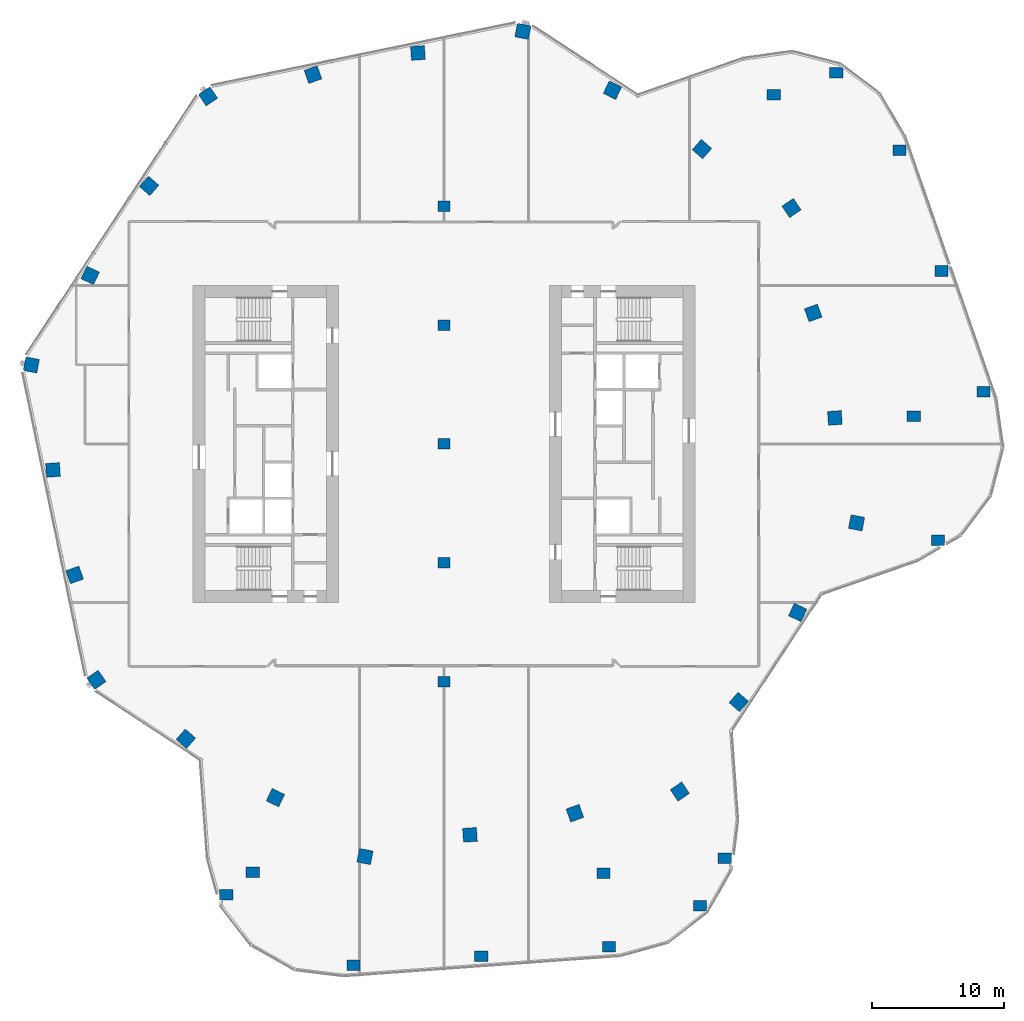
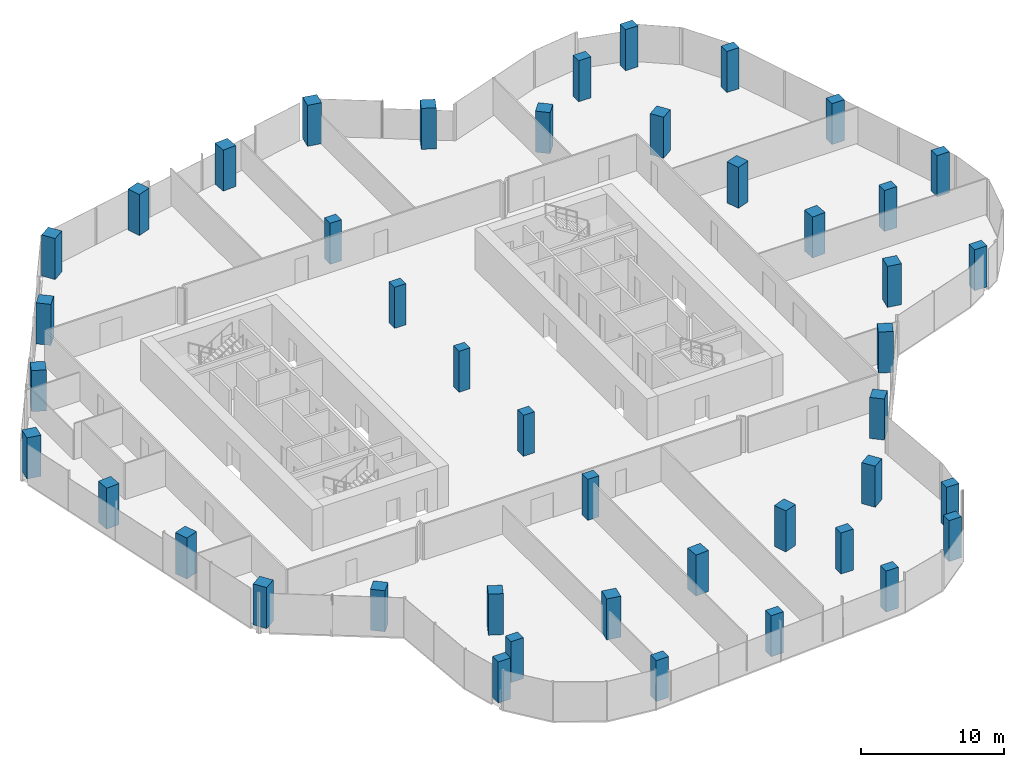
# One storey, part 1 of 24: 44 columns.
"""IFC4 building model written with IfcOpenShell, lengths in metres."""

from ifc_helpers import new_model, si_unit, direction, frame, origin, origin_2d, place, context, subcontext, project, spatial, rectangle, extrude, material, material_profile, profile_set, type_object, element, save


model = new_model("IFC4")

# Units and contexts
model_context = context("Model", 3, precision=1e-05, world=origin(), true_north=direction((0.0, 1.0)))
body_context = subcontext(model_context, "Body", "Model", "MODEL_VIEW")
ifc_project = project(units=[si_unit("LENGTHUNIT", "METRE"), si_unit("AREAUNIT", "SQUARE_METRE"), si_unit("VOLUMEUNIT", "CUBIC_METRE"), si_unit("PLANEANGLEUNIT", "RADIAN"), si_unit("MASSUNIT", "GRAM", prefix="KILO")], contexts=[model_context])

# Site, building, storey
site_placement = place(None, origin())
site = spatial("IfcSite", under=ifc_project, at=site_placement, CompositionType="ELEMENT")
building_placement = place(site_placement, origin())
building = spatial("IfcBuilding", under=site, at=building_placement, Name="Orlundy Tower", CompositionType="ELEMENT")
storey_placement = place(building_placement, frame((0.0, 0.0, 246.0)))
storey = spatial("IfcBuildingStorey", under=building, at=storey_placement, Name="L65", CompositionType="ELEMENT", Elevation=246.0)

# Columns
ifc_material_1 = material(Name="Concrete C60/75", Category="concrete")
ifc_material_profile_1 = material_profile(ifc_material_1, rectangle(XDim=1.0, YDim=0.800048828125, at=origin_2d()), Name="RC1000X800")
ifc_profile_set_1 = profile_set([ifc_material_profile_1], Name="Concrete C60/75")
column_type_1 = type_object("IfcColumnType", Name="RC COLUMN RC1000X800 C60/75", PredefinedType="COLUMN", material=ifc_profile_set_1)
for number, where, z_axis, x_axis, name in (
    (1, (37.423095703125, -7.302001953125, 0.0), (0.0, 0.0, 1.0), (1.0, 0.0, 0.0), "Column C-A1-1 L65"),
    (2, (40.873046875, 3.93798828125, 0.0), (0.0, 0.0, 1.0), (1.0, 0.0, 0.0), "Column C-A2-5 L65"),
    (3, (35.5830078125, 2.09912109375, 0.0), (0.0, 0.0, 1.0), (1.0, 0.0, 0.0), "Column C-A2-6 L65"),
    (4, (37.68798828125, 13.10009765625, 0.0), (0.0, 0.0, 1.0), (1.0, 0.0, 0.0), "Column C-A3-5 L65"),
    (5, (34.50390625, 22.261962890625, 0.0), (0.0, 0.0, 1.0), (1.0, 0.0, 0.0), "Column C-A4-5 L65"),
    (6, (29.7119140625, 28.10595703125, 0.0), (0.0, 0.0, 1.0), (1.0, 0.0, 0.0), "Column C-A5-5 L65"),
    (7, (24.989990234375, 26.465087890625, 0.0), (0.0, 0.0, 1.0), (1.0, 0.0, 0.0), "Column C-A5-6 L65"),
    (8, (-16.4970703125, -34.132080078125, 0.0), (0.0, 0.0, 1.0), (1.0, 0.0, 0.0), "Column C-B1-1 L65"),
    (9, (-14.47509765625, -32.430908203125, 0.0), (0.0, 0.0, 1.0), (1.0, 0.0, 0.0), "Column C-B1-6 L65"),
    (10, (-6.847900390625, -39.501953125, 0.0), (0.0, 0.0, 1.0), (1.0, 0.0, 0.0), "Column C-B2-5 L65"),
    (11, (2.825927734375, -38.797119140625, 0.0), (0.0, 0.0, 1.0), (1.0, 0.0, 0.0), "Column C-B3-5 L65"),
    (12, (12.5009765625, -38.092041015625, 0.0), (0.0, 0.0, 1.0), (1.0, 0.0, 0.0), "Column C-B4-5 L65"),
    (13, (12.093994140625, -32.507080078125, 0.0), (0.0, 0.0, 1.0), (1.0, 0.0, 0.0), "Column C-B4-6 L65"),
    (14, (21.27001953125, -31.3798828125, 0.0), (0.0, 0.0, 1.0), (1.0, 0.0, 0.0), "Column C-B5-1 L65"),
    (15, (19.385986328125, -34.97705078125, 0.0), (0.0, 0.0, 1.0), (1.0, 0.0, 0.0), "Column C-B5-5 L65"),
):
    element("IfcColumn", number, at=place(storey_placement, frame(where, z_axis=z_axis, x_axis=x_axis)), inside=storey, type_object=column_type_1, Name=name, PredefinedType="COLUMN", context=body_context, shape_type="SweptSolid", body=[
        extrude(rectangle(XDim=1.0, YDim=0.800048828125, at=origin_2d()), origin(), (0.0, 0.0, 1.0), 3.5),
    ])
ifc_material_2 = material(Name="Concrete C60/75", Category="concrete")
ifc_material_profile_2 = material_profile(ifc_material_2, rectangle(XDim=1.050048828125, YDim=1.050048828125, at=origin_2d()), Name="RC1050X1050")
ifc_profile_set_2 = profile_set([ifc_material_profile_2], Name="Concrete C60/75")
column_type_2 = type_object("IfcColumnType", Name="RC COLUMN RC1050X1050 C60/75", PredefinedType="COLUMN", material=ifc_profile_set_2)
for number, where, z_axis, x_axis, name in (
    (16, (5.98095703125, 31.2548828125, 0.0), (0.0, 0.0, 1.0), (0.187947040317, 0.982179163919, 0.0), "Column C-H01 L65"),
    (17, (12.763916015625, 26.7939453125, 0.0), (0.0, 0.0, 1.0), (0.430069959039, 0.902795563975, 0.0), "Column C-H02 L65"),
    (18, (19.547119140625, 22.3330078125, 0.0), (0.0, 0.0, 1.0), (0.658610663802, 0.752483882569, 0.0), "Column C-H03 L65"),
    (19, (26.330078125, 17.87109375, 0.0), (0.0, 0.0, 1.0), (0.827413975623, 0.561592479423, 0.0), "Column C-H04 L65"),
    (20, (27.971923828125, 9.9208984375, 0.0), (0.0, 0.0, 1.0), (0.942478249733, 0.334267480891, 0.0), "Column C-H05 L65"),
    (21, (29.613037109375, 1.969970703125, 0.0), (0.0, 0.0, 1.0), (0.997794522634, 0.066378389562, 0.0), "Column C-H06 L65"),
    (22, (31.2548828125, -5.98095703125, 0.0), (0.0, 0.0, 1.0), (0.982179163919, -0.187947040317, 0.0), "Column C-H07 L65"),
    (23, (26.7939453125, -12.763916015625, 0.0), (0.0, 0.0, 1.0), (0.902795563975, -0.430069959039, 0.0), "Column C-H08 L65"),
    (24, (22.3330078125, -19.547119140625, 0.0), (0.0, 0.0, 1.0), (0.752483882569, -0.658610663802, 0.0), "Column C-H09 L65"),
    (25, (17.87109375, -26.330078125, 0.0), (0.0, 0.0, 1.0), (0.561592479423, -0.827413975623, 0.0), "Column C-H10 L65"),
    (26, (9.9208984375, -27.971923828125, 0.0), (0.0, 0.0, 1.0), (0.334267480891, -0.942478249733, 0.0), "Column C-H11 L65"),
    (27, (1.969970703125, -29.613037109375, 0.0), (0.0, 0.0, 1.0), (0.066378389562, -0.997794522634, 0.0), "Column C-H12 L65"),
    (28, (-5.98095703125, -31.2548828125, 0.0), (0.0, 0.0, 1.0), (-0.187947040317, -0.982179163919, 0.0), "Column C-H13 L65"),
    (29, (-12.763916015625, -26.7939453125, 0.0), (0.0, 0.0, 1.0), (-0.430069959039, -0.902795563975, 0.0), "Column C-H14 L65"),
    (30, (-19.547119140625, -22.3330078125, 0.0), (0.0, 0.0, 1.0), (-0.658610663802, -0.752483882569, 0.0), "Column C-H15 L65"),
    (31, (-26.330078125, -17.87109375, 0.0), (0.0, 0.0, 1.0), (-0.827413975623, -0.561592479423, 0.0), "Column C-H16 L65"),
    (32, (-27.971923828125, -9.9208984375, 0.0), (0.0, 0.0, 1.0), (-0.942478249733, -0.334267480891, 0.0), "Column C-H17 L65"),
    (33, (-29.613037109375, -1.969970703125, 0.0), (0.0, 0.0, 1.0), (-0.997794522634, -0.066378389562, 0.0), "Column C-H18 L65"),
    (34, (-31.2548828125, 5.98095703125, 0.0), (0.0, 0.0, 1.0), (-0.982179163919, 0.187947040317, 0.0), "Column C-H19 L65"),
    (35, (-26.7939453125, 12.763916015625, 0.0), (0.0, 0.0, 1.0), (-0.902795563975, 0.430069959039, 0.0), "Column C-H20 L65"),
    (36, (-22.3330078125, 19.547119140625, 0.0), (0.0, 0.0, 1.0), (-0.752483882569, 0.658610663802, 0.0), "Column C-H21 L65"),
    (37, (-17.87109375, 26.330078125, 0.0), (0.0, 0.0, 1.0), (-0.561592479423, 0.827413975623, 0.0), "Column C-H22 L65"),
    (38, (-9.9208984375, 27.971923828125, 0.0), (0.0, 0.0, 1.0), (-0.334267480891, 0.942478249733, 0.0), "Column C-H23 L65"),
    (39, (-1.969970703125, 29.613037109375, 0.0), (0.0, 0.0, 1.0), (-0.066378389562, 0.997794522634, 0.0), "Column C-H24 L65"),
):
    element("IfcColumn", number, at=place(storey_placement, frame(where, z_axis=z_axis, x_axis=x_axis)), inside=storey, type_object=column_type_2, Name=name, PredefinedType="COLUMN", context=body_context, shape_type="SweptSolid", body=[
        extrude(rectangle(XDim=1.050048828125, YDim=1.050048828125, at=origin_2d()), origin(), (0.0, 0.0, 1.0), 3.5),
    ])
ifc_material_3 = material(Name="Concrete C60/75", Category="concrete")
ifc_material_profile_3 = material_profile(ifc_material_3, rectangle(XDim=0.89990234375, YDim=0.800048828125, at=origin_2d()), Name="RC900X800")
ifc_profile_set_3 = profile_set([ifc_material_profile_3], Name="Concrete C60/75")
column_type_3 = type_object("IfcColumnType", Name="RC COLUMN RC900X800 C60/75", PredefinedType="COLUMN", material=ifc_profile_set_3)
for number, where, z_axis, x_axis, name in (
    (40, (0.0, -18.0, 0.0), (0.0, 0.0, 1.0), (1.0, 0.0, 0.0), "Column C-M1 L65"),
    (41, (0.0, -9.0, 0.0), (0.0, 0.0, 1.0), (1.0, 0.0, 0.0), "Column C-M2 L65"),
    (42, (0.0, 0.0, 0.0), (0.0, 0.0, 1.0), (1.0, 0.0, 0.0), "Column C-M3 L65"),
    (43, (0.0, 9.0, 0.0), (0.0, 0.0, 1.0), (1.0, 0.0, 0.0), "Column C-M4 L65"),
    (44, (0.0, 18.0, 0.0), (0.0, 0.0, 1.0), (1.0, 0.0, 0.0), "Column C-M5 L65"),
):
    element("IfcColumn", number, at=place(storey_placement, frame(where, z_axis=z_axis, x_axis=x_axis)), inside=storey, type_object=column_type_3, Name=name, PredefinedType="COLUMN", context=body_context, shape_type="SweptSolid", body=[
        extrude(rectangle(XDim=0.89990234375, YDim=0.800048828125, at=origin_2d()), origin(), (0.0, 0.0, 1.0), 3.5),
    ])

save(model, "model.ifc")
